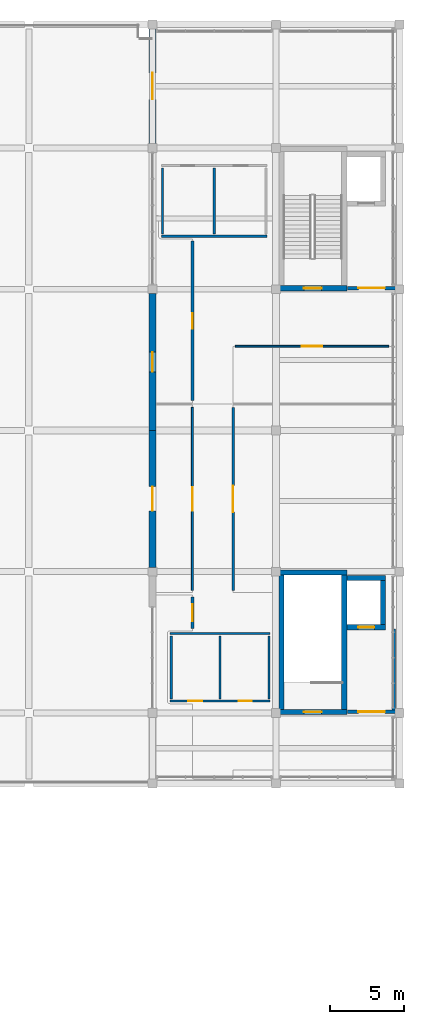
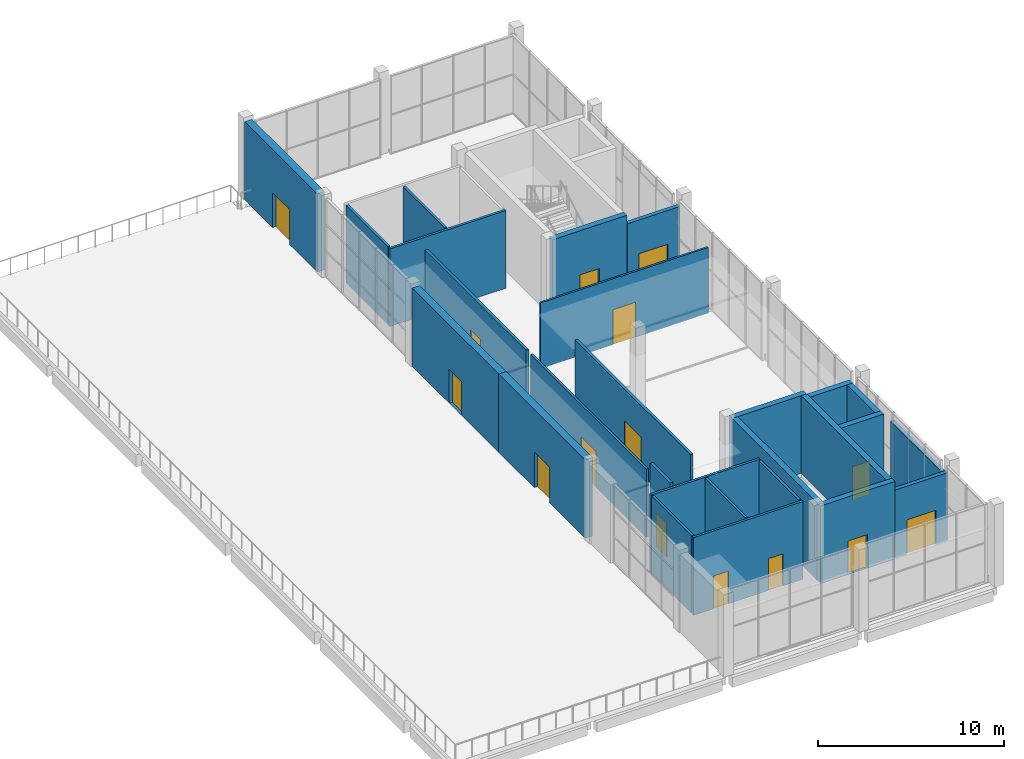
# One storey, part 11 of 15: 27 walls, 15 doors, 15 openings.
"""IFC4 building model written with IfcOpenShell, lengths in metres."""

from ifc_helpers import new_model, si_unit, direction, frame, frame_2d, origin, place, context, subcontext, project, spatial, rectangle, extrude, material, layer, layer_set, type_object, element, fill, save


model = new_model("IFC4")

# Units and contexts
model_context = context("Model", 3, precision=1e-05, world=origin(), true_north=direction((0.0, 1.0)))
body_context = subcontext(model_context, "Body", "Model", "MODEL_VIEW")
ifc_project = project(units=[si_unit("LENGTHUNIT", "METRE"), si_unit("AREAUNIT", "SQUARE_METRE"), si_unit("VOLUMEUNIT", "CUBIC_METRE"), si_unit("PLANEANGLEUNIT", "RADIAN"), si_unit("MASSUNIT", "GRAM", prefix="KILO")], contexts=[model_context])

# Site, building, storey
site_placement = place(None, origin())
site = spatial("IfcSite", under=ifc_project, at=site_placement, CompositionType="ELEMENT")
building_placement = place(site_placement, origin())
building = spatial("IfcBuilding", under=site, at=building_placement, Name="Shalvenor Court Art Gallery", CompositionType="ELEMENT")
storey_placement = place(building_placement, frame((0.0, 0.0, 27.0)))
storey = spatial("IfcBuildingStorey", under=building, at=storey_placement, Name="L05", CompositionType="ELEMENT", Elevation=27.0)

# Wall, opening, door
ifc_material_1 = material(Name="Concrete C40/50", Category="concrete")
ifc_layer_1 = layer(ifc_material_1, 0.35009765625, Name="Concrete C40/50")
ifc_layer_set_1 = layer_set([ifc_layer_1], Name="Concrete C40/50")
wall_type_1 = type_object("IfcWallType", Name="CW-W1", PredefinedType="SHEAR", material=ifc_layer_set_1)
wall_1_placement = place(storey_placement, frame((172.81201171875, 79.262939453125, 0.0), z_axis=(0.0, 0.0, 1.0), x_axis=(-1.0, 0.0, 0.0)))
wall_1 = element("IfcWall", 1, at=wall_1_placement, inside=storey, type_object=wall_type_1, Name="L05 C1 Stair Core Shear Wall S", PredefinedType="SHEAR", context=body_context, shape_type="SweptSolid", body=[
    extrude(rectangle(XDim=4.6240234375, YDim=0.35009765625, at=frame_2d((2.31201171875, 0.0))), origin(), (0.0, 0.0, 1.0), 5.10009765625),
])
opening_1_placement = place(wall_1_placement, frame((1.7119140625, 0.0, 0.0)))
opening_1 = element("IfcOpeningElement", 2, at=opening_1_placement, cuts=wall_1, Name="Opening FD-01", PredefinedType="OPENING", context=body_context, shape_type="SweptSolid", body=[
    extrude(rectangle(XDim=1.199951171875, YDim=2.199951171875, at=frame_2d((0.60009765625, 1.10009765625))), frame((0.0, 0.18505859375, 0.0), z_axis=(0.0, -1.0, 0.0), x_axis=(1.0, 0.0, 0.0)), (0.0, 0.0, 1.0), 0.3701171875),
])
ifc_material_2 = material(Name="Fire-rated steel stair doorset", Category="steel")
door_type_1 = type_object("IfcDoorType", Name="FD-01", OperationType="NOTDEFINED", PredefinedType="DOOR", material=ifc_material_2)
door_1_placement = place(opening_1_placement, origin())
door_1 = element("IfcDoor", 3, at=door_1_placement, inside=storey, type_object=door_type_1, Name="DR-ST-L05-C1 L05 ST-01 Fire Stair Door", OperationType="SINGLE_SWING_RIGHT", OverallHeight=2.199951171875, OverallWidth=1.199951171875, PredefinedType="DOOR", context=body_context, shape_type="SweptSolid", body=[
    extrude(rectangle(XDim=1.199951171875, YDim=2.199951171875, at=frame_2d((0.60009765625, 1.10009765625))), frame((0.0, 0.02490234375, 0.0), z_axis=(0.0, -1.0, 0.0), x_axis=(1.0, 0.0, 0.0)), (0.0, 0.0, 1.0), 0.050048828125),
])
fill(opening_1, door_1)

# Walls
wall_2_placement = place(storey_placement, frame((168.18798828125, 59.93701171875, 0.0), z_axis=(0.0, 0.0, 1.0), x_axis=(1.0, 0.0, 0.0)))
element("IfcWall", 4, at=wall_2_placement, inside=storey, type_object=wall_type_1, Name="L05 C2 Stair Core Shear Wall N", PredefinedType="SHEAR", context=body_context, shape_type="SweptSolid", body=[
    extrude(rectangle(XDim=4.6240234375, YDim=0.35009765625, at=frame_2d((2.31201171875, 0.0))), origin(), (0.0, 0.0, 1.0), 5.10009765625),
])
wall_3_placement = place(storey_placement, frame((172.636962890625, 59.761962890625, 0.0), z_axis=(0.0, 0.0, 1.0), x_axis=(0.0, -1.0, 0.0)))
element("IfcWall", 5, at=wall_3_placement, inside=storey, type_object=wall_type_1, Name="L05 C2 Stair Core Shear Wall E", PredefinedType="SHEAR", context=body_context, shape_type="SweptSolid", body=[
    extrude(rectangle(XDim=9.1240234375, YDim=0.35009765625, at=frame_2d((4.56201171875, 0.0))), origin(), (0.0, 0.0, 1.0), 5.10009765625),
])

# Wall, opening, door
wall_4_placement = place(storey_placement, frame((172.81201171875, 50.462890625, 0.0), z_axis=(0.0, 0.0, 1.0), x_axis=(-1.0, 0.0, 0.0)))
wall_4 = element("IfcWall", 6, at=wall_4_placement, inside=storey, type_object=wall_type_1, Name="L05 C2 Stair Core Shear Wall S", PredefinedType="SHEAR", context=body_context, shape_type="SweptSolid", body=[
    extrude(rectangle(XDim=4.6240234375, YDim=0.35009765625, at=frame_2d((2.31201171875, 0.0))), origin(), (0.0, 0.0, 1.0), 5.10009765625),
])
opening_2_placement = place(wall_4_placement, frame((1.7119140625, 0.0, 0.0)))
opening_2 = element("IfcOpeningElement", 7, at=opening_2_placement, cuts=wall_4, Name="Opening FD-01", PredefinedType="OPENING", context=body_context, shape_type="SweptSolid", body=[
    extrude(rectangle(XDim=1.199951171875, YDim=2.199951171875, at=frame_2d((0.60009765625, 1.10009765625))), frame((0.0, 0.18505859375, 0.0), z_axis=(0.0, -1.0, 0.0), x_axis=(1.0, 0.0, 0.0)), (0.0, 0.0, 1.0), 0.3701171875),
])
door_2_placement = place(opening_2_placement, origin())
door_2 = element("IfcDoor", 8, at=door_2_placement, inside=storey, type_object=door_type_1, Name="DR-ST-L05-C2 L05 ST-02 Fire Stair Door", OperationType="SINGLE_SWING_LEFT", OverallHeight=2.199951171875, OverallWidth=1.199951171875, PredefinedType="DOOR", context=body_context, shape_type="SweptSolid", body=[
    extrude(rectangle(XDim=1.199951171875, YDim=2.199951171875, at=frame_2d((0.60009765625, 1.10009765625))), frame((0.0, 0.02490234375, 0.0), z_axis=(0.0, -1.0, 0.0), x_axis=(1.0, 0.0, 0.0)), (0.0, 0.0, 1.0), 0.050048828125),
])
fill(opening_2, door_2)

# Walls
wall_5_placement = place(storey_placement, frame((168.363037109375, 50.637939453125, 0.0), z_axis=(0.0, 0.0, 1.0), x_axis=(0.0, 1.0, 0.0)))
element("IfcWall", 9, at=wall_5_placement, inside=storey, type_object=wall_type_1, Name="L05 C2 Stair Core Shear Wall W", PredefinedType="SHEAR", context=body_context, shape_type="SweptSolid", body=[
    extrude(rectangle(XDim=9.1240234375, YDim=0.35009765625, at=frame_2d((4.56201171875, 0.0))), origin(), (0.0, 0.0, 1.0), 5.10009765625),
])
wall_6_placement = place(storey_placement, frame((172.81201171875, 59.574951171875, 0.0), z_axis=(0.0, 0.0, 1.0), x_axis=(1.0, 0.0, 0.0)))
element("IfcWall", 10, at=wall_6_placement, inside=storey, type_object=wall_type_1, Name="L05 FL-02 Lift Shaft Wall N", PredefinedType="SHEAR", context=body_context, shape_type="SweptSolid", body=[
    extrude(rectangle(XDim=2.637939453125, YDim=0.35009765625, at=frame_2d((1.31884765625, 0.0))), origin(), (0.0, 0.0, 1.0), 5.10009765625),
])
wall_7_placement = place(storey_placement, frame((175.27490234375, 59.39990234375, 0.0), z_axis=(0.0, 0.0, 1.0), x_axis=(0.0, -1.0, 0.0)))
element("IfcWall", 11, at=wall_7_placement, inside=storey, type_object=wall_type_1, Name="L05 FL-02 Lift Shaft Wall E", PredefinedType="SHEAR", context=body_context, shape_type="SweptSolid", body=[
    extrude(rectangle(XDim=3.0, YDim=0.35009765625, at=frame_2d((1.5, 0.0))), origin(), (0.0, 0.0, 1.0), 5.10009765625),
])

# Wall, opening, door
wall_8_placement = place(storey_placement, frame((175.449951171875, 56.22509765625, 0.0), z_axis=(0.0, 0.0, 1.0), x_axis=(-1.0, 0.0, 0.0)))
wall_8 = element("IfcWall", 12, at=wall_8_placement, inside=storey, type_object=wall_type_1, Name="L05 FL-02 Lift Shaft Wall S", PredefinedType="SHEAR", context=body_context, shape_type="SweptSolid", body=[
    extrude(rectangle(XDim=2.637939453125, YDim=0.35009765625, at=frame_2d((1.31884765625, 0.0))), origin(), (0.0, 0.0, 1.0), 5.10009765625),
])
opening_3_placement = place(wall_8_placement, frame((0.76904296875, 0.0, 0.0)))
opening_3 = element("IfcOpeningElement", 13, at=opening_3_placement, cuts=wall_8, Name="Opening LD-01", PredefinedType="OPENING", context=body_context, shape_type="SweptSolid", body=[
    extrude(rectangle(XDim=1.10009765625, YDim=2.199951171875, at=frame_2d((0.550048828125, 1.10009765625))), frame((0.0, 0.18505859375, 0.0), z_axis=(0.0, -1.0, 0.0), x_axis=(1.0, 0.0, 0.0)), (0.0, 0.0, 1.0), 0.3701171875),
])
ifc_material_3 = material(Name="Stainless steel firefighting lift sliding landing door", Category="steel")
door_type_2 = type_object("IfcDoorType", Name="LD-01", OperationType="NOTDEFINED", PredefinedType="DOOR", material=ifc_material_3)
door_3_placement = place(opening_3_placement, origin())
door_3 = element("IfcDoor", 14, at=door_3_placement, inside=storey, type_object=door_type_2, Name="DR-LD-L05-FL-02 L05 FL-02 Lift Landing Sliding Door", OperationType="DOUBLE_DOOR_SLIDING", OverallHeight=2.199951171875, OverallWidth=1.10009765625, PredefinedType="DOOR", context=body_context, shape_type="SweptSolid", body=[
    extrude(rectangle(XDim=1.10009765625, YDim=2.199951171875, at=frame_2d((0.550048828125, 1.10009765625))), frame((0.0, 0.02490234375, 0.0), z_axis=(0.0, -1.0, 0.0), x_axis=(1.0, 0.0, 0.0)), (0.0, 0.0, 1.0), 0.050048828125),
])
fill(opening_3, door_3)

ifc_material_4 = material(Name="Concrete C40/50", Category="concrete")
ifc_layer_2 = layer(ifc_material_4, 0.4599609375, Name="Concrete C40/50")
ifc_layer_set_2 = layer_set([ifc_layer_2], Name="Concrete C40/50")
wall_type_2 = type_object("IfcWallType", Name="EW-01", PredefinedType="SOLIDWALL", material=ifc_layer_set_2)
wall_9_placement = place(storey_placement, frame((159.60009765625, 60.300048828125, 0.0), z_axis=(0.0, 0.0, 1.0), x_axis=(0.0, 1.0, 0.0)))
wall_9 = element("IfcWall", 15, at=wall_9_placement, inside=storey, type_object=wall_type_2, Name="L05 V1 Exterior Wall WL-L05-0100", PredefinedType="SOLIDWALL", context=body_context, shape_type="SweptSolid", body=[
    extrude(rectangle(XDim=9.300048828125, YDim=0.4599609375, at=frame_2d((4.64990234375, 0.0))), origin(), (0.0, 0.0, 1.0), 5.139892578125),
])
opening_4_placement = place(wall_9_placement, frame((3.824951171875, 0.0, 0.0)))
opening_4 = element("IfcOpeningElement", 16, at=opening_4_placement, cuts=wall_9, Name="Opening TD-05", PredefinedType="OPENING", context=body_context, shape_type="SweptSolid", body=[
    extrude(rectangle(XDim=1.64990234375, YDim=2.35009765625, at=frame_2d((0.824951171875, 1.175048828125))), frame((0.0, 0.239990234375, 0.0), z_axis=(0.0, -1.0, 0.0), x_axis=(1.0, 0.0, 0.0)), (0.0, 0.0, 1.0), 0.47998046875),
])
ifc_material_5 = material(Name="Anodised aluminium glazed terrace door", Category="aluminium")
door_type_3 = type_object("IfcDoorType", Name="TD-05", OperationType="NOTDEFINED", PredefinedType="DOOR", material=ifc_material_5)
door_4_placement = place(opening_4_placement, origin())
door_4 = element("IfcDoor", 17, at=door_4_placement, inside=storey, type_object=door_type_3, Name="DR-TR-023 L05 Gallery Terrace Door", OperationType="DOUBLE_DOOR_SINGLE_SWING", OverallHeight=2.35009765625, OverallWidth=1.64990234375, PredefinedType="DOOR", context=body_context, shape_type="SweptSolid", body=[
    extrude(rectangle(XDim=1.64990234375, YDim=2.35009765625, at=frame_2d((0.824951171875, 1.175048828125))), frame((0.0, 0.02490234375, 0.0), z_axis=(0.0, -1.0, 0.0), x_axis=(1.0, 0.0, 0.0)), (0.0, 0.0, 1.0), 0.050048828125),
])
fill(opening_4, door_4)

wall_10_placement = place(storey_placement, frame((159.60009765625, 69.60009765625, 0.0), z_axis=(0.0, 0.0, 1.0), x_axis=(0.0, 1.0, 0.0)))
wall_10 = element("IfcWall", 18, at=wall_10_placement, inside=storey, type_object=wall_type_2, Name="L05 V1 Exterior Wall WL-L05-0101", PredefinedType="SOLIDWALL", context=body_context, shape_type="SweptSolid", body=[
    extrude(rectangle(XDim=9.2998046875, YDim=0.4599609375, at=frame_2d((4.64990234375, 0.0))), origin(), (0.0, 0.0, 1.0), 5.139892578125),
])
opening_5_placement = place(wall_10_placement, frame((3.97509765625, 0.0, 0.0)))
opening_5 = element("IfcOpeningElement", 19, at=opening_5_placement, cuts=wall_10, Name="Opening TD-06", PredefinedType="OPENING", context=body_context, shape_type="SweptSolid", body=[
    extrude(rectangle(XDim=1.35009765625, YDim=2.199951171875, at=frame_2d((0.675048828125, 1.10009765625))), frame((0.0, 0.239990234375, 0.0), z_axis=(0.0, -1.0, 0.0), x_axis=(1.0, 0.0, 0.0)), (0.0, 0.0, 1.0), 0.47998046875),
])
ifc_material_6 = material(Name="Anodised aluminium glazed terrace door", Category="aluminium")
door_type_4 = type_object("IfcDoorType", Name="TD-06", OperationType="NOTDEFINED", PredefinedType="DOOR", material=ifc_material_6)
door_5_placement = place(opening_5_placement, origin())
door_5 = element("IfcDoor", 20, at=door_5_placement, inside=storey, type_object=door_type_4, Name="DR-TR-024 L05 Gallery Terrace Door", OperationType="SINGLE_SWING_LEFT", OverallHeight=2.199951171875, OverallWidth=1.35009765625, PredefinedType="DOOR", context=body_context, shape_type="SweptSolid", body=[
    extrude(rectangle(XDim=1.35009765625, YDim=2.199951171875, at=frame_2d((0.675048828125, 1.10009765625))), frame((0.0, 0.02490234375, 0.0), z_axis=(0.0, -1.0, 0.0), x_axis=(1.0, 0.0, 0.0)), (0.0, 0.0, 1.0), 0.050048828125),
])
fill(opening_5, door_5)

wall_11_placement = place(storey_placement, frame((159.60009765625, 89.10009765625, 0.0), z_axis=(0.0, 0.0, 1.0), x_axis=(0.0, 1.0, 0.0)))
wall_11 = element("IfcWall", 21, at=wall_11_placement, inside=storey, type_object=wall_type_2, Name="L05 V1 Exterior Wall WL-L05-0102", PredefinedType="SOLIDWALL", context=body_context, shape_type="SweptSolid", body=[
    extrude(rectangle(XDim=7.7998046875, YDim=0.4599609375, at=frame_2d((3.89990234375, 0.0))), origin(), (0.0, 0.0, 1.0), 5.139892578125),
])
opening_6_placement = place(wall_11_placement, frame((3.0, 0.0, 0.0)))
opening_6 = element("IfcOpeningElement", 22, at=opening_6_placement, cuts=wall_11, Name="Opening TD-01", PredefinedType="OPENING", context=body_context, shape_type="SweptSolid", body=[
    extrude(rectangle(XDim=1.800048828125, YDim=2.300048828125, at=frame_2d((0.89990234375, 1.14990234375))), frame((0.0, 0.239990234375, 0.0), z_axis=(0.0, -1.0, 0.0), x_axis=(1.0, 0.0, 0.0)), (0.0, 0.0, 1.0), 0.47998046875),
])
ifc_material_7 = material(Name="Anodised aluminium glazed terrace door", Category="aluminium")
door_type_5 = type_object("IfcDoorType", Name="TD-01", OperationType="NOTDEFINED", PredefinedType="DOOR", material=ifc_material_7)
door_6_placement = place(opening_6_placement, origin())
door_6 = element("IfcDoor", 23, at=door_6_placement, inside=storey, type_object=door_type_5, Name="DR-TR-025 L05 Gallery Terrace Door", OperationType="DOUBLE_DOOR_SINGLE_SWING", OverallHeight=2.300048828125, OverallWidth=1.800048828125, PredefinedType="DOOR", context=body_context, shape_type="SweptSolid", body=[
    extrude(rectangle(XDim=1.800048828125, YDim=2.300048828125, at=frame_2d((0.89990234375, 1.14990234375))), frame((0.0, 0.02490234375, 0.0), z_axis=(0.0, -1.0, 0.0), x_axis=(1.0, 0.0, 0.0)), (0.0, 0.0, 1.0), 0.050048828125),
])
fill(opening_6, door_6)

ifc_material_8 = material(Name="Concrete blockwork fire wall", Category="masonry")
ifc_layer_3 = layer(ifc_material_8, 0.239990234375, Name="Concrete blockwork fire wall")
ifc_layer_set_3 = layer_set([ifc_layer_3], Name="Concrete blockwork fire wall")
wall_type_3 = type_object("IfcWallType", Name="FW-01", PredefinedType="PARTITIONING", material=ifc_layer_set_3)
wall_12_placement = place(storey_placement, frame((176.1201171875, 79.280029296875, 0.0), z_axis=(0.0, 0.0, 1.0), x_axis=(-1.0, 0.0, 0.0)))
wall_12 = element("IfcWall", 24, at=wall_12_placement, inside=storey, type_object=wall_type_3, Name="L05 C1 Firefighting Lobby Wall S", PredefinedType="PARTITIONING", context=body_context, shape_type="SweptSolid", body=[
    extrude(rectangle(XDim=3.25, YDim=0.239990234375, at=frame_2d((1.625, 0.0))), origin(), (0.0, 0.0, 1.0), 4.465087890625),
])
opening_7_placement = place(wall_12_placement, frame((0.72509765625, 0.0, 0.0)))
opening_7 = element("IfcOpeningElement", 25, at=opening_7_placement, cuts=wall_12, Name="Opening FD-02", PredefinedType="OPENING", context=body_context, shape_type="SweptSolid", body=[
    extrude(rectangle(XDim=1.800048828125, YDim=2.25, at=frame_2d((0.89990234375, 1.125))), frame((0.0, 0.1298828125, 0.0), z_axis=(0.0, -1.0, 0.0), x_axis=(1.0, 0.0, 0.0)), (0.0, 0.0, 1.0), 0.260009765625),
])
ifc_material_9 = material(Name="Fire-rated double lobby doorset", Category="steel")
door_type_6 = type_object("IfcDoorType", Name="FD-02", OperationType="NOTDEFINED", PredefinedType="DOOR", material=ifc_material_9)
door_7_placement = place(opening_7_placement, origin())
door_7 = element("IfcDoor", 26, at=door_7_placement, inside=storey, type_object=door_type_6, Name="DR-FFL-L05-C1 L05 C1 Firefighting Lobby Double Door", OperationType="DOUBLE_DOOR_SINGLE_SWING", OverallHeight=2.25, OverallWidth=1.800048828125, PredefinedType="DOOR", context=body_context, shape_type="SweptSolid", body=[
    extrude(rectangle(XDim=1.800048828125, YDim=2.25, at=frame_2d((0.89990234375, 1.125))), frame((0.0, 0.02490234375, 0.0), z_axis=(0.0, -1.0, 0.0), x_axis=(1.0, 0.0, 0.0)), (0.0, 0.0, 1.0), 0.050048828125),
])
fill(opening_7, door_7)

# Wall
wall_13_placement = place(storey_placement, frame((176.0, 56.10009765625, 0.0), z_axis=(0.0, 0.0, 1.0), x_axis=(0.0, -1.0, 0.0)))
element("IfcWall", 27, at=wall_13_placement, inside=storey, type_object=wall_type_3, Name="L05 C2 Firefighting Lobby Wall E", PredefinedType="PARTITIONING", context=body_context, shape_type="SweptSolid", body=[
    extrude(rectangle(XDim=5.5, YDim=0.239990234375, at=frame_2d((2.75, 0.0))), origin(), (0.0, 0.0, 1.0), 4.465087890625),
])

# Wall, opening, door
wall_14_placement = place(storey_placement, frame((176.1201171875, 50.47998046875, 0.0), z_axis=(0.0, 0.0, 1.0), x_axis=(-1.0, 0.0, 0.0)))
wall_14 = element("IfcWall", 28, at=wall_14_placement, inside=storey, type_object=wall_type_3, Name="L05 C2 Firefighting Lobby Wall S", PredefinedType="PARTITIONING", context=body_context, shape_type="SweptSolid", body=[
    extrude(rectangle(XDim=3.25, YDim=0.239990234375, at=frame_2d((1.625, 0.0))), origin(), (0.0, 0.0, 1.0), 4.465087890625),
])
opening_8_placement = place(wall_14_placement, frame((0.72509765625, 0.0, 0.0)))
opening_8 = element("IfcOpeningElement", 29, at=opening_8_placement, cuts=wall_14, Name="Opening FD-02", PredefinedType="OPENING", context=body_context, shape_type="SweptSolid", body=[
    extrude(rectangle(XDim=1.800048828125, YDim=2.25, at=frame_2d((0.89990234375, 1.125))), frame((0.0, 0.1298828125, 0.0), z_axis=(0.0, -1.0, 0.0), x_axis=(1.0, 0.0, 0.0)), (0.0, 0.0, 1.0), 0.260009765625),
])
door_8_placement = place(opening_8_placement, origin())
door_8 = element("IfcDoor", 30, at=door_8_placement, inside=storey, type_object=door_type_6, Name="DR-FFL-L05-C2 L05 C2 Firefighting Lobby Double Door", OperationType="DOUBLE_DOOR_SINGLE_SWING", OverallHeight=2.25, OverallWidth=1.800048828125, PredefinedType="DOOR", context=body_context, shape_type="SweptSolid", body=[
    extrude(rectangle(XDim=1.800048828125, YDim=2.25, at=frame_2d((0.89990234375, 1.125))), frame((0.0, 0.02490234375, 0.0), z_axis=(0.0, -1.0, 0.0), x_axis=(1.0, 0.0, 0.0)), (0.0, 0.0, 1.0), 0.050048828125),
])
fill(opening_8, door_8)

ifc_material_10 = material(Name="Plywood-backed acoustic art-hanging partition", Category="wood")
ifc_layer_4 = layer(ifc_material_10, 0.179931640625, Name="Plywood-backed acoustic art-hanging partition")
ifc_layer_set_4 = layer_set([ifc_layer_4], Name="Plywood-backed acoustic art-hanging partition")
wall_type_4 = type_object("IfcWallType", Name="PT-01", PredefinedType="PARTITIONING", material=ifc_layer_set_4)
wall_15_placement = place(storey_placement, frame((162.320068359375, 58.27001953125, 0.0), z_axis=(0.0, 0.0, 1.0), x_axis=(0.0, -1.0, 0.0)))
wall_15 = element("IfcWall", 31, at=wall_15_placement, inside=storey, type_object=wall_type_4, Name="L05 Top Lit Lantern Gallery Partition 669", PredefinedType="PARTITIONING", context=body_context, shape_type="SweptSolid", body=[
    extrude(rectangle(XDim=2.14013671875, YDim=0.179931640625, at=frame_2d((1.070068359375, 0.0))), origin(), (0.0, 0.0, 1.0), 5.139892578125),
])
opening_9_placement = place(wall_15_placement, frame((0.4951171875, 0.0, 0.0)))
opening_9 = element("IfcOpeningElement", 32, at=opening_9_placement, cuts=wall_15, Name="Opening ID-10", PredefinedType="OPENING", context=body_context, shape_type="SweptSolid", body=[
    extrude(rectangle(XDim=1.14990234375, YDim=2.199951171875, at=frame_2d((0.574951171875, 1.10009765625))), frame((0.0, 0.099853515625, 0.0), z_axis=(0.0, -1.0, 0.0), x_axis=(1.0, 0.0, 0.0)), (0.0, 0.0, 1.0), 0.199951171875),
])
ifc_material_11 = material(Name="Acoustic conservation lab single doorset", Category="steel")
door_type_7 = type_object("IfcDoorType", Name="ID-10", OperationType="NOTDEFINED", PredefinedType="DOOR", material=ifc_material_11)
door_9_placement = place(opening_9_placement, origin())
door_9 = element("IfcDoor", 33, at=door_9_placement, inside=storey, type_object=door_type_7, Name="DR-RM-L05-0200 L05 Top Lit Lantern Gallery Door", OperationType="SINGLE_SWING_LEFT", OverallHeight=2.199951171875, OverallWidth=1.14990234375, PredefinedType="DOOR", context=body_context, shape_type="SweptSolid", body=[
    extrude(rectangle(XDim=1.14990234375, YDim=2.199951171875, at=frame_2d((0.574951171875, 1.10009765625))), frame((0.0, 0.02490234375, 0.0), z_axis=(0.0, -1.0, 0.0), x_axis=(1.0, 0.0, 0.0)), (0.0, 0.0, 1.0), 0.050048828125),
])
fill(opening_9, door_9)

wall_16_placement = place(storey_placement, frame((162.320068359375, 82.469970703125, 0.0), z_axis=(0.0, 0.0, 1.0), x_axis=(0.0, -1.0, 0.0)))
wall_16 = element("IfcWall", 34, at=wall_16_placement, inside=storey, type_object=wall_type_4, Name="L05 Print Study Cabinet Wing B Partition 673", PredefinedType="PARTITIONING", context=body_context, shape_type="SweptSolid", body=[
    extrude(rectangle(XDim=10.840087890625, YDim=0.179931640625, at=frame_2d((5.419921875, 0.0))), origin(), (0.0, 0.0, 1.0), 4.465087890625),
])
opening_10_placement = place(wall_16_placement, frame((4.89501953125, 0.0, 0.0)))
opening_10 = element("IfcOpeningElement", 35, at=opening_10_placement, cuts=wall_16, Name="Opening ID-04", PredefinedType="OPENING", context=body_context, shape_type="SweptSolid", body=[
    extrude(rectangle(XDim=1.050048828125, YDim=2.199951171875, at=frame_2d((0.52490234375, 1.10009765625))), frame((0.0, 0.099853515625, 0.0), z_axis=(0.0, -1.0, 0.0), x_axis=(1.0, 0.0, 0.0)), (0.0, 0.0, 1.0), 0.199951171875),
])
ifc_material_12 = material(Name="Oak-veneered accessible room doorset", Category="wood")
door_type_8 = type_object("IfcDoorType", Name="ID-04", OperationType="NOTDEFINED", PredefinedType="DOOR", material=ifc_material_12)
door_10_placement = place(opening_10_placement, origin())
door_10 = element("IfcDoor", 36, at=door_10_placement, inside=storey, type_object=door_type_8, Name="DR-RM-L05-0204 L05 Print Study Cabinet Wing B Door", OperationType="SINGLE_SWING_RIGHT", OverallHeight=2.199951171875, OverallWidth=1.050048828125, PredefinedType="DOOR", context=body_context, shape_type="SweptSolid", body=[
    extrude(rectangle(XDim=1.050048828125, YDim=2.199951171875, at=frame_2d((0.52490234375, 1.10009765625))), frame((0.0, 0.02490234375, 0.0), z_axis=(0.0, -1.0, 0.0), x_axis=(1.0, 0.0, 0.0)), (0.0, 0.0, 1.0), 0.050048828125),
])
fill(opening_10, door_10)

ifc_material_13 = material(Name="Double-stud acoustic gallery partition", Category="other")
ifc_layer_5 = layer(ifc_material_13, 0.1650390625, Name="Double-stud acoustic gallery partition")
ifc_layer_set_5 = layer_set([ifc_layer_5], Name="Double-stud acoustic gallery partition")
wall_type_5 = type_object("IfcWallType", Name="PT-02", PredefinedType="PARTITIONING", material=ifc_layer_set_5)
wall_17_placement = place(storey_placement, frame((165.080078125, 58.72998046875, 0.0), z_axis=(0.0, 0.0, 1.0), x_axis=(0.0, 1.0, 0.0)))
wall_17 = element("IfcWall", 37, at=wall_17_placement, inside=storey, type_object=wall_type_5, Name="L05 Photography Exhibition Gallery Partition 670", PredefinedType="PARTITIONING", context=body_context, shape_type="SweptSolid", body=[
    extrude(rectangle(XDim=12.43994140625, YDim=0.1650390625, at=frame_2d((6.219970703125, 0.0))), origin(), (0.0, 0.0, 1.0), 4.465087890625),
])
opening_11_placement = place(wall_17_placement, frame((5.320068359375, 0.0, 0.0)))
opening_11 = element("IfcOpeningElement", 38, at=opening_11_placement, cuts=wall_17, Name="Opening ID-01", PredefinedType="OPENING", context=body_context, shape_type="SweptSolid", body=[
    extrude(rectangle(XDim=1.800048828125, YDim=2.39990234375, at=frame_2d((0.89990234375, 1.199951171875))), frame((0.0, 0.092529296875, 0.0), z_axis=(0.0, -1.0, 0.0), x_axis=(1.0, 0.0, 0.0)), (0.0, 0.0, 1.0), 0.18505859375),
])
ifc_material_14 = material(Name="Oak-veneered acoustic gallery double doorset", Category="wood")
door_type_9 = type_object("IfcDoorType", Name="ID-01", OperationType="NOTDEFINED", PredefinedType="DOOR", material=ifc_material_14)
door_11_placement = place(opening_11_placement, origin())
door_11 = element("IfcDoor", 39, at=door_11_placement, inside=storey, type_object=door_type_9, Name="DR-RM-L05-0201 L05 Photography Exhibition Gallery Door", OperationType="DOUBLE_DOOR_SINGLE_SWING", OverallHeight=2.39990234375, OverallWidth=1.800048828125, PredefinedType="DOOR", context=body_context, shape_type="SweptSolid", body=[
    extrude(rectangle(XDim=1.800048828125, YDim=2.39990234375, at=frame_2d((0.89990234375, 1.199951171875))), frame((0.0, 0.02490234375, 0.0), z_axis=(0.0, -1.0, 0.0), x_axis=(1.0, 0.0, 0.0)), (0.0, 0.0, 1.0), 0.050048828125),
])
fill(opening_11, door_11)

# Walls
ifc_material_15 = material(Name="Moisture-resistant sanitary partition", Category="other")
ifc_layer_6 = layer(ifc_material_15, 0.14990234375, Name="Moisture-resistant sanitary partition")
ifc_layer_set_6 = layer_set([ifc_layer_6], Name="Moisture-resistant sanitary partition")
wall_type_6 = type_object("IfcWallType", Name="PT-03", PredefinedType="PARTITIONING", material=ifc_layer_set_6)
wall_18_placement = place(storey_placement, frame((160.199951171875, 82.800048828125, 0.0), z_axis=(0.0, 0.0, 1.0), x_axis=(1.0, 0.0, 0.0)))
element("IfcWall", 40, at=wall_18_placement, inside=storey, type_object=wall_type_6, Name="L05 C1 Restroom Back Partition", PredefinedType="PARTITIONING", context=body_context, shape_type="SweptSolid", body=[
    extrude(rectangle(XDim=7.199951171875, YDim=0.14990234375, at=frame_2d((3.60009765625, 0.0))), origin(), (0.0, 0.0, 1.0), 5.10009765625),
])
for number, where, z_axis, x_axis, name in (
    (41, (160.27490234375, 82.9599609375, 0.0), (0.0, 0.0, 1.0), (0.0, 1.0, 0.0), "L05 C1 Restroom Partition L"),
    (42, (163.800048828125, 82.9599609375, 0.0), (0.0, 0.0, 1.0), (0.0, 1.0, 0.0), "L05 C1 Restroom Partition M"),
):
    element("IfcWall", number, at=place(storey_placement, frame(where, z_axis=z_axis, x_axis=x_axis)), inside=storey, type_object=wall_type_6, Name=name, PredefinedType="PARTITIONING", context=body_context, shape_type="SweptSolid", body=[
        extrude(rectangle(XDim=4.47998046875, YDim=0.14990234375, at=frame_2d((2.239990234375, 0.0))), origin(), (0.0, 0.0, 1.0), 5.10009765625),
    ])

# Wall, openings, doors
wall_19_placement = place(storey_placement, frame((167.60009765625, 51.199951171875, 0.0), z_axis=(0.0, 0.0, 1.0), x_axis=(-1.0, 0.0, 0.0)))
wall_19 = element("IfcWall", 43, at=wall_19_placement, inside=storey, type_object=wall_type_6, Name="L05 C2 Restroom Front Partition", PredefinedType="PARTITIONING", context=body_context, shape_type="SweptSolid", body=[
    extrude(rectangle(XDim=6.800048828125, YDim=0.14990234375, at=frame_2d((3.39990234375, 0.0))), origin(), (0.0, 0.0, 1.0), 5.10009765625),
])
opening_12_placement = place(wall_19_placement, frame((1.25, 0.0, 0.0)))
opening_12 = element("IfcOpeningElement", 44, at=opening_12_placement, cuts=wall_19, Name="Opening ID-07", PredefinedType="OPENING", context=body_context, shape_type="SweptSolid", body=[
    extrude(rectangle(XDim=0.89990234375, YDim=2.10009765625, at=frame_2d((0.449951171875, 1.050048828125))), frame((0.0, 0.0849609375, 0.0), z_axis=(0.0, -1.0, 0.0), x_axis=(1.0, 0.0, 0.0)), (0.0, 0.0, 1.0), 0.169921875),
])
opening_13_placement = place(wall_19_placement, frame((4.625, 0.0, 0.0)))
opening_13 = element("IfcOpeningElement", 45, at=opening_13_placement, cuts=wall_19, Name="Opening ID-06", PredefinedType="OPENING", context=body_context, shape_type="SweptSolid", body=[
    extrude(rectangle(XDim=0.949951171875, YDim=2.14990234375, at=frame_2d((0.47509765625, 1.074951171875))), frame((0.0, 0.0849609375, 0.0), z_axis=(0.0, -1.0, 0.0), x_axis=(1.0, 0.0, 0.0)), (0.0, 0.0, 1.0), 0.169921875),
])
ifc_material_16 = material(Name="Accessible restroom doorset", Category="steel")
door_type_10 = type_object("IfcDoorType", Name="ID-06", OperationType="NOTDEFINED", PredefinedType="DOOR", material=ifc_material_16)
door_12_placement = place(opening_13_placement, origin())
door_12 = element("IfcDoor", 46, at=door_12_placement, inside=storey, type_object=door_type_10, Name="DR-AWC-L05-C2-2 L05 C2 Accessible Restroom Door", OperationType="SINGLE_SWING_LEFT", OverallHeight=2.14990234375, OverallWidth=0.949951171875, PredefinedType="DOOR", context=body_context, shape_type="SweptSolid", body=[
    extrude(rectangle(XDim=0.949951171875, YDim=2.14990234375, at=frame_2d((0.47509765625, 1.074951171875))), frame((0.0, 0.02490234375, 0.0), z_axis=(0.0, -1.0, 0.0), x_axis=(1.0, 0.0, 0.0)), (0.0, 0.0, 1.0), 0.050048828125),
])
fill(opening_13, door_12)
ifc_material_17 = material(Name="Restroom timber doorset", Category="wood")
door_type_11 = type_object("IfcDoorType", Name="ID-07", OperationType="NOTDEFINED", PredefinedType="DOOR", material=ifc_material_17)
door_13_placement = place(opening_12_placement, origin())
door_13 = element("IfcDoor", 47, at=door_13_placement, inside=storey, type_object=door_type_11, Name="DR-WC-L05-C2-1 L05 C2 Public Restroom Door", OperationType="SINGLE_SWING_RIGHT", OverallHeight=2.10009765625, OverallWidth=0.89990234375, PredefinedType="DOOR", context=body_context, shape_type="SweptSolid", body=[
    extrude(rectangle(XDim=0.89990234375, YDim=2.10009765625, at=frame_2d((0.449951171875, 1.050048828125))), frame((0.0, 0.02490234375, 0.0), z_axis=(0.0, -1.0, 0.0), x_axis=(1.0, 0.0, 0.0)), (0.0, 0.0, 1.0), 0.050048828125),
])
fill(opening_12, door_13)

# Walls
wall_20_placement = place(storey_placement, frame((160.800048828125, 55.800048828125, 0.0), z_axis=(0.0, 0.0, 1.0), x_axis=(1.0, 0.0, 0.0)))
element("IfcWall", 48, at=wall_20_placement, inside=storey, type_object=wall_type_6, Name="L05 C2 Restroom Back Partition", PredefinedType="PARTITIONING", context=body_context, shape_type="SweptSolid", body=[
    extrude(rectangle(XDim=6.800048828125, YDim=0.14990234375, at=frame_2d((3.39990234375, 0.0))), origin(), (0.0, 0.0, 1.0), 5.10009765625),
])
for number, where, z_axis, x_axis, name in (
    (49, (160.875, 51.360107421875, 0.0), (0.0, 0.0, 1.0), (0.0, 1.0, 0.0), "L05 C2 Restroom Partition L"),
    (50, (164.199951171875, 51.360107421875, 0.0), (0.0, 0.0, 1.0), (0.0, 1.0, 0.0), "L05 C2 Restroom Partition M"),
    (51, (167.52490234375, 51.360107421875, 0.0), (0.0, 0.0, 1.0), (0.0, 1.0, 0.0), "L05 C2 Restroom Partition R"),
):
    element("IfcWall", number, at=place(storey_placement, frame(where, z_axis=z_axis, x_axis=x_axis)), inside=storey, type_object=wall_type_6, Name=name, PredefinedType="PARTITIONING", context=body_context, shape_type="SweptSolid", body=[
        extrude(rectangle(XDim=4.27978515625, YDim=0.14990234375, at=frame_2d((2.139892578125, 0.0))), origin(), (0.0, 0.0, 1.0), 5.10009765625),
    ])

# Wall, opening, door
ifc_material_18 = material(Name="Insulated studio acoustic partition", Category="other")
ifc_layer_7 = layer(ifc_material_18, 0.135009765625, Name="Insulated studio acoustic partition")
ifc_layer_set_7 = layer_set([ifc_layer_7], Name="Insulated studio acoustic partition")
wall_type_7 = type_object("IfcWallType", Name="PT-04", PredefinedType="PARTITIONING", material=ifc_layer_set_7)
wall_21_placement = place(storey_placement, frame((162.320068359375, 71.169921875, 0.0), z_axis=(0.0, 0.0, 1.0), x_axis=(0.0, -1.0, 0.0)))
wall_21 = element("IfcWall", 52, at=wall_21_placement, inside=storey, type_object=wall_type_7, Name="L05 Photography Exhibition Gallery Wing B Partition 671", PredefinedType="PARTITIONING", context=body_context, shape_type="SweptSolid", body=[
    extrude(rectangle(XDim=12.43994140625, YDim=0.135009765625, at=frame_2d((6.219970703125, 0.0))), origin(), (0.0, 0.0, 1.0), 4.465087890625),
])
opening_14_placement = place(wall_21_placement, frame((5.419921875, 0.0, 0.0)))
opening_14 = element("IfcOpeningElement", 53, at=opening_14_placement, cuts=wall_21, Name="Opening ID-02", PredefinedType="OPENING", context=body_context, shape_type="SweptSolid", body=[
    extrude(rectangle(XDim=1.60009765625, YDim=2.35009765625, at=frame_2d((0.800048828125, 1.175048828125))), frame((0.0, 0.077392578125, 0.0), z_axis=(0.0, -1.0, 0.0), x_axis=(1.0, 0.0, 0.0)), (0.0, 0.0, 1.0), 0.155029296875),
])
ifc_material_19 = material(Name="Oak-veneered gallery double doorset", Category="wood")
door_type_12 = type_object("IfcDoorType", Name="ID-02", OperationType="NOTDEFINED", PredefinedType="DOOR", material=ifc_material_19)
door_14_placement = place(opening_14_placement, origin())
door_14 = element("IfcDoor", 54, at=door_14_placement, inside=storey, type_object=door_type_12, Name="DR-RM-L05-0202 L05 Photography Exhibition Gallery Wing B Door", OperationType="DOUBLE_DOOR_SINGLE_SWING", OverallHeight=2.35009765625, OverallWidth=1.60009765625, PredefinedType="DOOR", context=body_context, shape_type="SweptSolid", body=[
    extrude(rectangle(XDim=1.60009765625, YDim=2.35009765625, at=frame_2d((0.800048828125, 1.175048828125))), frame((0.0, 0.02490234375, 0.0), z_axis=(0.0, -1.0, 0.0), x_axis=(1.0, 0.0, 0.0)), (0.0, 0.0, 1.0), 0.050048828125),
])
fill(opening_14, door_14)

ifc_material_20 = material(Name="Lightweight office gypsum partition", Category="other")
ifc_layer_8 = layer(ifc_material_20, 0.1201171875, Name="Lightweight office gypsum partition")
ifc_layer_set_8 = layer_set([ifc_layer_8], Name="Lightweight office gypsum partition")
wall_type_8 = type_object("IfcWallType", Name="PT-05", PredefinedType="PARTITIONING", material=ifc_layer_set_8)
wall_22_placement = place(storey_placement, frame((165.22998046875, 75.320068359375, 0.0), z_axis=(0.0, 0.0, 1.0), x_axis=(1.0, 0.0, 0.0)))
wall_22 = element("IfcWall", 55, at=wall_22_placement, inside=storey, type_object=wall_type_8, Name="L05 Print Study Cabinet Partition 672", PredefinedType="PARTITIONING", context=body_context, shape_type="SweptSolid", body=[
    extrude(rectangle(XDim=10.419921875, YDim=0.1201171875, at=frame_2d((5.2099609375, 0.0))), origin(), (0.0, 0.0, 1.0), 4.31494140625),
])
opening_15_placement = place(wall_22_placement, frame((4.510009765625, 0.0, 0.0)))
opening_15 = element("IfcOpeningElement", 56, at=opening_15_placement, cuts=wall_22, Name="Opening ID-03", PredefinedType="OPENING", context=body_context, shape_type="SweptSolid", body=[
    extrude(rectangle(XDim=1.39990234375, YDim=2.300048828125, at=frame_2d((0.699951171875, 1.14990234375))), frame((0.0, 0.070068359375, 0.0), z_axis=(0.0, -1.0, 0.0), x_axis=(1.0, 0.0, 0.0)), (0.0, 0.0, 1.0), 0.14013671875),
])
ifc_material_21 = material(Name="Timber studio double leaf doorset", Category="wood")
door_type_13 = type_object("IfcDoorType", Name="ID-03", OperationType="NOTDEFINED", PredefinedType="DOOR", material=ifc_material_21)
door_15_placement = place(opening_15_placement, origin())
door_15 = element("IfcDoor", 57, at=door_15_placement, inside=storey, type_object=door_type_13, Name="DR-RM-L05-0203 L05 Print Study Cabinet Door", OperationType="DOUBLE_DOOR_SINGLE_SWING", OverallHeight=2.300048828125, OverallWidth=1.39990234375, PredefinedType="DOOR", context=body_context, shape_type="SweptSolid", body=[
    extrude(rectangle(XDim=1.39990234375, YDim=2.300048828125, at=frame_2d((0.699951171875, 1.14990234375))), frame((0.0, 0.02490234375, 0.0), z_axis=(0.0, -1.0, 0.0), x_axis=(1.0, 0.0, 0.0)), (0.0, 0.0, 1.0), 0.050048828125),
])
fill(opening_15, door_15)

save(model, "model.ifc")
